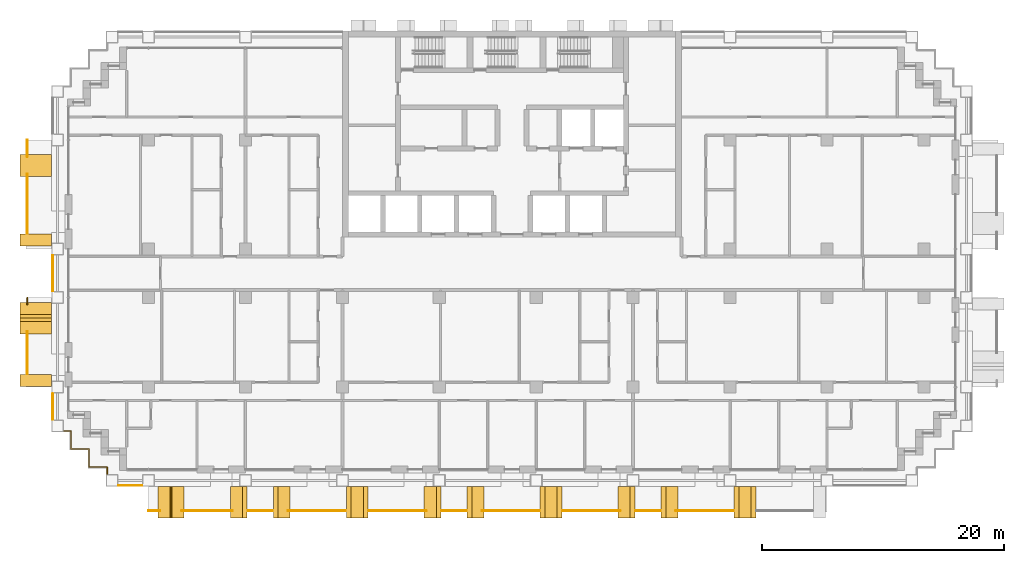
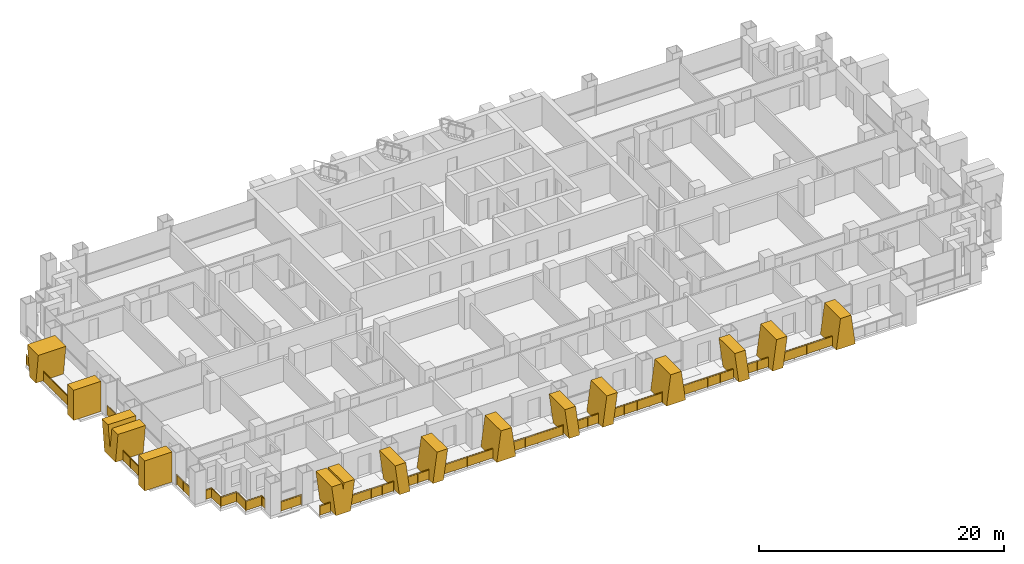
# One storey, part 15 of 18: 18 railings, 14 shading devices.
"""IFC4 building model written with IfcOpenShell, lengths in metres."""

from ifc_helpers import new_model, si_unit, direction, frame, origin, origin_2d, place, context, subcontext, project, spatial, polyline, rectangle, circle, outline, extrude, material, layer, layer_set, type_object, element, save


model = new_model("IFC4")

# Units and contexts
model_context = context("Model", 3, precision=1e-05, world=origin(), true_north=direction((0.0, 1.0)))
body_context = subcontext(model_context, "Body", "Model", "MODEL_VIEW")
ifc_project = project(units=[si_unit("LENGTHUNIT", "METRE"), si_unit("AREAUNIT", "SQUARE_METRE"), si_unit("VOLUMEUNIT", "CUBIC_METRE"), si_unit("PLANEANGLEUNIT", "RADIAN"), si_unit("MASSUNIT", "GRAM", prefix="KILO")], contexts=[model_context])

# Site, building, storey
site_placement = place(None, origin())
site = spatial("IfcSite", under=ifc_project, at=site_placement, CompositionType="ELEMENT")
building_placement = place(site_placement, origin())
building = spatial("IfcBuilding", under=site, at=building_placement, Name="Vidyagriha Tower", CompositionType="ELEMENT")
storey_placement = place(building_placement, frame((0.0, 0.0, 54.39990234375)))
storey = spatial("IfcBuildingStorey", under=building, at=storey_placement, Name="L14", CompositionType="ELEMENT", Elevation=54.39990234375)

# Railings
ifc_material_1 = material(Name="Steel ASTM A500 Grade C black painted", Category="steel")
railing_type_1 = type_object("IfcRailingType", Name="Balcony guard 1100", PredefinedType="BALUSTRADE", material=ifc_material_1)
railing_1_placement = place(storey_placement, frame((-40.0, 11.0, 0.0)))
element("IfcRailing", 1, at=railing_1_placement, inside=storey, type_object=railing_type_1, Name="Balcony guard L14 R16.1-1", PredefinedType="BALUSTRADE", context=body_context, shape_type="SweptSolid", body=[
    extrude(circle(Radius=0.02490234375, at=origin_2d()), frame((0.0, 0.0, 1.0751953125), z_axis=(0.0, -1.0, 0.0), x_axis=(1.0, 0.0, 0.0)), (0.0, 0.0, 1.0), 1.396728515625),
    extrude(circle(Radius=0.02001953125, at=origin_2d()), origin(), (0.0, 0.0, 1.0), 1.050048828125),
    extrude(circle(Radius=0.02001953125, at=origin_2d()), frame((0.0, -0.6982421875, 0.0)), (0.0, 0.0, 1.0), 1.050048828125),
    extrude(circle(Radius=0.02001953125, at=origin_2d()), frame((0.0, -1.396728515625, 0.0)), (0.0, 0.0, 1.0), 1.050048828125),
    extrude(rectangle(XDim=0.010009765625, YDim=0.900146484375, at=origin_2d()), frame((0.0, 0.0, 0.550048828125), z_axis=(0.0, -1.0, 0.0), x_axis=(1.0, 0.0, 0.0)), (0.0, 0.0, 1.0), 1.396728515625),
])
railing_2_placement = place(storey_placement, frame((-40.0, 8.19677734375, 0.0)))
element("IfcRailing", 2, at=railing_2_placement, inside=storey, type_object=railing_type_1, Name="Balcony guard L14 R16.1-2", PredefinedType="BALUSTRADE", context=body_context, shape_type="SweptSolid", body=[
    extrude(circle(Radius=0.02490234375, at=origin_2d()), frame((0.0, 0.0, 1.0751953125), z_axis=(0.0, -1.0, 0.0), x_axis=(1.0, 0.0, 0.0)), (0.0, 0.0, 1.0), 4.896728515625),
    extrude(circle(Radius=0.02001953125, at=origin_2d()), origin(), (0.0, 0.0, 1.0), 1.050048828125),
    extrude(circle(Radius=0.02001953125, at=origin_2d()), frame((0.0, -0.979248046875, 0.0)), (0.0, 0.0, 1.0), 1.050048828125),
    extrude(circle(Radius=0.02001953125, at=origin_2d()), frame((0.0, -1.958740234375, 0.0)), (0.0, 0.0, 1.0), 1.050048828125),
    extrude(circle(Radius=0.02001953125, at=origin_2d()), frame((0.0, -2.93798828125, 0.0)), (0.0, 0.0, 1.0), 1.050048828125),
    extrude(circle(Radius=0.02001953125, at=origin_2d()), frame((0.0, -3.91748046875, 0.0)), (0.0, 0.0, 1.0), 1.050048828125),
    extrude(circle(Radius=0.02001953125, at=origin_2d()), frame((0.0, -4.896728515625, 0.0)), (0.0, 0.0, 1.0), 1.050048828125),
    extrude(rectangle(XDim=0.010009765625, YDim=0.900146484375, at=origin_2d()), frame((0.0, 0.0, 0.550048828125), z_axis=(0.0, -1.0, 0.0), x_axis=(1.0, 0.0, 0.0)), (0.0, 0.0, 1.0), 4.896728515625),
])
railing_3_placement = place(storey_placement, frame((-40.0, -2.0, 0.0)))
element("IfcRailing", 3, at=railing_3_placement, inside=storey, type_object=railing_type_1, Name="Balcony guard L14 R16.2-1", PredefinedType="BALUSTRADE", context=body_context, shape_type="SweptSolid", body=[
    extrude(circle(Radius=0.02490234375, at=origin_2d()), frame((0.0, 0.0, 1.0751953125), z_axis=(0.0, -1.0, 0.0), x_axis=(1.0, 0.0, 0.0)), (0.0, 0.0, 1.0), 0.5966796875),
    extrude(circle(Radius=0.02001953125, at=origin_2d()), origin(), (0.0, 0.0, 1.0), 1.050048828125),
    extrude(circle(Radius=0.02001953125, at=origin_2d()), frame((0.0, -0.5966796875, 0.0)), (0.0, 0.0, 1.0), 1.050048828125),
    extrude(rectangle(XDim=0.010009765625, YDim=0.900146484375, at=origin_2d()), frame((0.0, 0.0, 0.550048828125), z_axis=(0.0, -1.0, 0.0), x_axis=(1.0, 0.0, 0.0)), (0.0, 0.0, 1.0), 0.5966796875),
])
railing_4_placement = place(storey_placement, frame((-40.0, -4.80322265625, 0.0)))
element("IfcRailing", 4, at=railing_4_placement, inside=storey, type_object=railing_type_1, Name="Balcony guard L14 R16.2-2", PredefinedType="BALUSTRADE", context=body_context, shape_type="SweptSolid", body=[
    extrude(circle(Radius=0.02490234375, at=origin_2d()), frame((0.0, 0.0, 1.0751953125), z_axis=(0.0, -1.0, 0.0), x_axis=(1.0, 0.0, 0.0)), (0.0, 0.0, 1.0), 3.496826171875),
    extrude(circle(Radius=0.02001953125, at=origin_2d()), origin(), (0.0, 0.0, 1.0), 1.050048828125),
    extrude(circle(Radius=0.02001953125, at=origin_2d()), frame((0.0, -1.16552734375, 0.0)), (0.0, 0.0, 1.0), 1.050048828125),
    extrude(circle(Radius=0.02001953125, at=origin_2d()), frame((0.0, -2.331298828125, 0.0)), (0.0, 0.0, 1.0), 1.050048828125),
    extrude(circle(Radius=0.02001953125, at=origin_2d()), frame((0.0, -3.496826171875, 0.0)), (0.0, 0.0, 1.0), 1.050048828125),
    extrude(rectangle(XDim=0.010009765625, YDim=0.900146484375, at=origin_2d()), frame((0.0, 0.0, 0.550048828125), z_axis=(0.0, -1.0, 0.0), x_axis=(1.0, 0.0, 0.0)), (0.0, 0.0, 1.0), 3.496826171875),
])
railing_5_placement = place(storey_placement, frame((-30.0, -19.60009765625, 0.0)))
element("IfcRailing", 5, at=railing_5_placement, inside=storey, type_object=railing_type_1, Name="Balcony guard L14 R23.1-1", PredefinedType="BALUSTRADE", context=body_context, shape_type="SweptSolid", body=[
    extrude(circle(Radius=0.02490234375, at=origin_2d()), frame((0.0, 0.0, 1.0751953125), z_axis=(1.0, 0.0, 0.0), x_axis=(0.0, 1.0, 0.0)), (0.0, 0.0, 1.0), 0.959228515625),
    extrude(circle(Radius=0.02001953125, at=origin_2d()), origin(), (0.0, 0.0, 1.0), 1.050048828125),
    extrude(circle(Radius=0.02001953125, at=origin_2d()), frame((0.959228515625, 0.0, 0.0)), (0.0, 0.0, 1.0), 1.050048828125),
    extrude(rectangle(XDim=0.010009765625, YDim=0.900146484375, at=origin_2d()), frame((0.0, 0.0, 0.550048828125), z_axis=(1.0, 0.0, 0.0), x_axis=(0.0, 1.0, 0.0)), (0.0, 0.0, 1.0), 0.959228515625),
])
railing_6_placement = place(storey_placement, frame((-27.25927734375, -19.60009765625, 0.0)))
element("IfcRailing", 6, at=railing_6_placement, inside=storey, type_object=railing_type_1, Name="Balcony guard L14 R23.1-2", PredefinedType="BALUSTRADE", context=body_context, shape_type="SweptSolid", body=[
    extrude(circle(Radius=0.02490234375, at=origin_2d()), frame((0.0, 0.0, 1.0751953125), z_axis=(1.0, 0.0, 0.0), x_axis=(0.0, 1.0, 0.0)), (0.0, 0.0, 1.0), 4.202880859375),
    extrude(circle(Radius=0.02001953125, at=origin_2d()), origin(), (0.0, 0.0, 1.0), 1.050048828125),
    extrude(circle(Radius=0.02001953125, at=origin_2d()), frame((1.05078125, 0.0, 0.0)), (0.0, 0.0, 1.0), 1.050048828125),
    extrude(circle(Radius=0.02001953125, at=origin_2d()), frame((2.1015625, 0.0, 0.0)), (0.0, 0.0, 1.0), 1.050048828125),
    extrude(circle(Radius=0.02001953125, at=origin_2d()), frame((3.152099609375, 0.0, 0.0)), (0.0, 0.0, 1.0), 1.050048828125),
    extrude(circle(Radius=0.02001953125, at=origin_2d()), frame((4.202880859375, 0.0, 0.0)), (0.0, 0.0, 1.0), 1.050048828125),
    extrude(rectangle(XDim=0.010009765625, YDim=0.900146484375, at=origin_2d()), frame((0.0, 0.0, 0.550048828125), z_axis=(1.0, 0.0, 0.0), x_axis=(0.0, 1.0, 0.0)), (0.0, 0.0, 1.0), 4.202880859375),
])
railing_7_placement = place(storey_placement, frame((-21.804931640625, -19.60009765625, 0.0)))
element("IfcRailing", 7, at=railing_7_placement, inside=storey, type_object=railing_type_1, Name="Balcony guard L14 R23.1-3", PredefinedType="BALUSTRADE", context=body_context, shape_type="SweptSolid", body=[
    extrude(circle(Radius=0.02490234375, at=origin_2d()), frame((0.0, 0.0, 1.0751953125), z_axis=(1.0, 0.0, 0.0), x_axis=(0.0, 1.0, 0.0)), (0.0, 0.0, 1.0), 2.059814453125),
    extrude(circle(Radius=0.02001953125, at=origin_2d()), origin(), (0.0, 0.0, 1.0), 1.050048828125),
    extrude(circle(Radius=0.02001953125, at=origin_2d()), frame((1.02978515625, 0.0, 0.0)), (0.0, 0.0, 1.0), 1.050048828125),
    extrude(circle(Radius=0.02001953125, at=origin_2d()), frame((2.059814453125, 0.0, 0.0)), (0.0, 0.0, 1.0), 1.050048828125),
    extrude(rectangle(XDim=0.010009765625, YDim=0.900146484375, at=origin_2d()), frame((0.0, 0.0, 0.550048828125), z_axis=(1.0, 0.0, 0.0), x_axis=(0.0, 1.0, 0.0)), (0.0, 0.0, 1.0), 2.059814453125),
])
for number, where, name in (
    (8, (-18.49365234375, -19.60009765625, 0.0), "Balcony guard L14 R23.1-4"),
    (9, (-11.830078125, -19.60009765625, 0.0), "Balcony guard L14 R23.1-5"),
):
    element("IfcRailing", number, at=place(storey_placement, frame(where)), inside=storey, type_object=railing_type_1, Name=name, PredefinedType="BALUSTRADE", context=body_context, shape_type="SweptSolid", body=[
        extrude(circle(Radius=0.02490234375, at=origin_2d()), frame((0.0, 0.0, 1.0751953125), z_axis=(1.0, 0.0, 0.0), x_axis=(0.0, 1.0, 0.0)), (0.0, 0.0, 1.0), 4.773681640625),
        extrude(circle(Radius=0.02001953125, at=origin_2d()), origin(), (0.0, 0.0, 1.0), 1.050048828125),
        extrude(circle(Radius=0.02001953125, at=origin_2d()), frame((1.193359375, 0.0, 0.0)), (0.0, 0.0, 1.0), 1.050048828125),
        extrude(circle(Radius=0.02001953125, at=origin_2d()), frame((2.38671875, 0.0, 0.0)), (0.0, 0.0, 1.0), 1.050048828125),
        extrude(circle(Radius=0.02001953125, at=origin_2d()), frame((3.580322265625, 0.0, 0.0)), (0.0, 0.0, 1.0), 1.050048828125),
        extrude(circle(Radius=0.02001953125, at=origin_2d()), frame((4.773681640625, 0.0, 0.0)), (0.0, 0.0, 1.0), 1.050048828125),
        extrude(rectangle(XDim=0.010009765625, YDim=0.900146484375, at=origin_2d()), frame((0.0, 0.0, 0.550048828125), z_axis=(1.0, 0.0, 0.0), x_axis=(0.0, 1.0, 0.0)), (0.0, 0.0, 1.0), 4.773681640625),
    ])
railing_8_placement = place(storey_placement, frame((-5.804931640625, -19.60009765625, 0.0)))
element("IfcRailing", 10, at=railing_8_placement, inside=storey, type_object=railing_type_1, Name="Balcony guard L14 R23.1-6", PredefinedType="BALUSTRADE", context=body_context, shape_type="SweptSolid", body=[
    extrude(circle(Radius=0.02490234375, at=origin_2d()), frame((0.0, 0.0, 1.0751953125), z_axis=(1.0, 0.0, 0.0), x_axis=(0.0, 1.0, 0.0)), (0.0, 0.0, 1.0), 2.059814453125),
    extrude(circle(Radius=0.02001953125, at=origin_2d()), origin(), (0.0, 0.0, 1.0), 1.050048828125),
    extrude(circle(Radius=0.02001953125, at=origin_2d()), frame((1.02978515625, 0.0, 0.0)), (0.0, 0.0, 1.0), 1.050048828125),
    extrude(circle(Radius=0.02001953125, at=origin_2d()), frame((2.059814453125, 0.0, 0.0)), (0.0, 0.0, 1.0), 1.050048828125),
    extrude(rectangle(XDim=0.010009765625, YDim=0.900146484375, at=origin_2d()), frame((0.0, 0.0, 0.550048828125), z_axis=(1.0, 0.0, 0.0), x_axis=(0.0, 1.0, 0.0)), (0.0, 0.0, 1.0), 2.059814453125),
])
for number, where, name in (
    (11, (-2.49365234375, -19.60009765625, 0.0), "Balcony guard L14 R23.1-7"),
    (12, (4.169921875, -19.60009765625, 0.0), "Balcony guard L14 R23.1-8"),
):
    element("IfcRailing", number, at=place(storey_placement, frame(where)), inside=storey, type_object=railing_type_1, Name=name, PredefinedType="BALUSTRADE", context=body_context, shape_type="SweptSolid", body=[
        extrude(circle(Radius=0.02490234375, at=origin_2d()), frame((0.0, 0.0, 1.0751953125), z_axis=(1.0, 0.0, 0.0), x_axis=(0.0, 1.0, 0.0)), (0.0, 0.0, 1.0), 4.773681640625),
        extrude(circle(Radius=0.02001953125, at=origin_2d()), origin(), (0.0, 0.0, 1.0), 1.050048828125),
        extrude(circle(Radius=0.02001953125, at=origin_2d()), frame((1.193359375, 0.0, 0.0)), (0.0, 0.0, 1.0), 1.050048828125),
        extrude(circle(Radius=0.02001953125, at=origin_2d()), frame((2.38671875, 0.0, 0.0)), (0.0, 0.0, 1.0), 1.050048828125),
        extrude(circle(Radius=0.02001953125, at=origin_2d()), frame((3.580322265625, 0.0, 0.0)), (0.0, 0.0, 1.0), 1.050048828125),
        extrude(circle(Radius=0.02001953125, at=origin_2d()), frame((4.773681640625, 0.0, 0.0)), (0.0, 0.0, 1.0), 1.050048828125),
        extrude(rectangle(XDim=0.010009765625, YDim=0.900146484375, at=origin_2d()), frame((0.0, 0.0, 0.550048828125), z_axis=(1.0, 0.0, 0.0), x_axis=(0.0, 1.0, 0.0)), (0.0, 0.0, 1.0), 4.773681640625),
    ])
railing_9_placement = place(storey_placement, frame((10.195068359375, -19.60009765625, 0.0)))
element("IfcRailing", 13, at=railing_9_placement, inside=storey, type_object=railing_type_1, Name="Balcony guard L14 R23.1-9", PredefinedType="BALUSTRADE", context=body_context, shape_type="SweptSolid", body=[
    extrude(circle(Radius=0.02490234375, at=origin_2d()), frame((0.0, 0.0, 1.0751953125), z_axis=(1.0, 0.0, 0.0), x_axis=(0.0, 1.0, 0.0)), (0.0, 0.0, 1.0), 2.059814453125),
    extrude(circle(Radius=0.02001953125, at=origin_2d()), origin(), (0.0, 0.0, 1.0), 1.050048828125),
    extrude(circle(Radius=0.02001953125, at=origin_2d()), frame((1.02978515625, 0.0, 0.0)), (0.0, 0.0, 1.0), 1.050048828125),
    extrude(circle(Radius=0.02001953125, at=origin_2d()), frame((2.059814453125, 0.0, 0.0)), (0.0, 0.0, 1.0), 1.050048828125),
    extrude(rectangle(XDim=0.010009765625, YDim=0.900146484375, at=origin_2d()), frame((0.0, 0.0, 0.550048828125), z_axis=(1.0, 0.0, 0.0), x_axis=(0.0, 1.0, 0.0)), (0.0, 0.0, 1.0), 2.059814453125),
])
railing_10_placement = place(storey_placement, frame((13.50634765625, -19.60009765625, 0.0)))
element("IfcRailing", 14, at=railing_10_placement, inside=storey, type_object=railing_type_1, Name="Balcony guard L14 R23.1-10", PredefinedType="BALUSTRADE", context=body_context, shape_type="SweptSolid", body=[
    extrude(circle(Radius=0.02490234375, at=origin_2d()), frame((0.0, 0.0, 1.0751953125), z_axis=(1.0, 0.0, 0.0), x_axis=(0.0, 1.0, 0.0)), (0.0, 0.0, 1.0), 4.773681640625),
    extrude(circle(Radius=0.02001953125, at=origin_2d()), origin(), (0.0, 0.0, 1.0), 1.050048828125),
    extrude(circle(Radius=0.02001953125, at=origin_2d()), frame((1.193359375, 0.0, 0.0)), (0.0, 0.0, 1.0), 1.050048828125),
    extrude(circle(Radius=0.02001953125, at=origin_2d()), frame((2.38671875, 0.0, 0.0)), (0.0, 0.0, 1.0), 1.050048828125),
    extrude(circle(Radius=0.02001953125, at=origin_2d()), frame((3.580322265625, 0.0, 0.0)), (0.0, 0.0, 1.0), 1.050048828125),
    extrude(circle(Radius=0.02001953125, at=origin_2d()), frame((4.773681640625, 0.0, 0.0)), (0.0, 0.0, 1.0), 1.050048828125),
    extrude(rectangle(XDim=0.010009765625, YDim=0.900146484375, at=origin_2d()), frame((0.0, 0.0, 0.550048828125), z_axis=(1.0, 0.0, 0.0), x_axis=(0.0, 1.0, 0.0)), (0.0, 0.0, 1.0), 4.773681640625),
])

# Shading devices
ifc_material_2 = material(Name="Precast concrete C40/50 with buff brick facing", Category="concrete")
ifc_layer_1 = layer(ifc_material_2, 1.0)
ifc_layer_set_1 = layer_set([ifc_layer_1], Name="Precast concrete C40/50 with buff brick facing")
shading_device_type_1 = type_object("IfcShadingDeviceType", Name="Brick-faced blade fin arm leaning 8 degrees", PredefinedType="USERDEFINED", material=ifc_layer_set_1)
shading_device_1_placement = place(storey_placement, frame((-19.695068359375, -18.89990234375, 0.0)))
element("IfcShadingDevice", 15, at=shading_device_1_placement, inside=storey, type_object=shading_device_type_1, Name="Leaning blade fin L14 R23.980a", ObjectType="BLADE FIN", PredefinedType="USERDEFINED", context=body_context, shape_type="SweptSolid", body=[
    extrude(outline(polyline([(0.0, 0.0), (1.0, 0.0), (1.39501953125, 3.0), (0.39501953125, 3.0), (0.0, 0.0)])), frame((0.0, 1.300048828125, 0.0), z_axis=(0.0, -1.0, 0.0), x_axis=(1.0, 0.0, 0.0)), (0.0, 0.0, 1.0), 2.60009765625),
])
shading_device_2_placement = place(storey_placement, frame((-23.25, -18.89990234375, 0.0)))
element("IfcShadingDevice", 16, at=shading_device_2_placement, inside=storey, type_object=shading_device_type_1, Name="Leaning blade fin L14 R23.980b", ObjectType="BLADE FIN", PredefinedType="USERDEFINED", context=body_context, shape_type="SweptSolid", body=[
    extrude(outline(polyline([(0.39501953125, 0.0), (1.39501953125, 0.0), (1.0, 3.0), (0.0, 3.0), (0.39501953125, 0.0)])), frame((0.0, 1.300048828125, 0.0), z_axis=(0.0, -1.0, 0.0), x_axis=(1.0, 0.0, 0.0)), (0.0, 0.0, 1.0), 2.60009765625),
])
shading_device_3_placement = place(storey_placement, frame((-3.695068359375, -18.89990234375, 0.0)))
element("IfcShadingDevice", 17, at=shading_device_3_placement, inside=storey, type_object=shading_device_type_1, Name="Leaning blade fin L14 R23.2580a", ObjectType="BLADE FIN", PredefinedType="USERDEFINED", context=body_context, shape_type="SweptSolid", body=[
    extrude(outline(polyline([(0.0, 0.0), (1.0, 0.0), (1.39501953125, 3.0), (0.39501953125, 3.0), (0.0, 0.0)])), frame((0.0, 1.300048828125, 0.0), z_axis=(0.0, -1.0, 0.0), x_axis=(1.0, 0.0, 0.0)), (0.0, 0.0, 1.0), 2.60009765625),
])
shading_device_4_placement = place(storey_placement, frame((-7.25, -18.89990234375, 0.0)))
element("IfcShadingDevice", 18, at=shading_device_4_placement, inside=storey, type_object=shading_device_type_1, Name="Leaning blade fin L14 R23.2580b", ObjectType="BLADE FIN", PredefinedType="USERDEFINED", context=body_context, shape_type="SweptSolid", body=[
    extrude(outline(polyline([(0.39501953125, 0.0), (1.39501953125, 0.0), (1.0, 3.0), (0.0, 3.0), (0.39501953125, 0.0)])), frame((0.0, 1.300048828125, 0.0), z_axis=(0.0, -1.0, 0.0), x_axis=(1.0, 0.0, 0.0)), (0.0, 0.0, 1.0), 2.60009765625),
])
shading_device_5_placement = place(storey_placement, frame((12.304931640625, -18.89990234375, 0.0)))
element("IfcShadingDevice", 19, at=shading_device_5_placement, inside=storey, type_object=shading_device_type_1, Name="Leaning blade fin L14 R23.4180a", ObjectType="BLADE FIN", PredefinedType="USERDEFINED", context=body_context, shape_type="SweptSolid", body=[
    extrude(outline(polyline([(0.0, 0.0), (1.0, 0.0), (1.39501953125, 3.0), (0.39501953125, 3.0), (0.0, 0.0)])), frame((0.0, 1.300048828125, 0.0), z_axis=(0.0, -1.0, 0.0), x_axis=(1.0, 0.0, 0.0)), (0.0, 0.0, 1.0), 2.60009765625),
])
shading_device_6_placement = place(storey_placement, frame((8.75, -18.89990234375, 0.0)))
element("IfcShadingDevice", 20, at=shading_device_6_placement, inside=storey, type_object=shading_device_type_1, Name="Leaning blade fin L14 R23.4180b", ObjectType="BLADE FIN", PredefinedType="USERDEFINED", context=body_context, shape_type="SweptSolid", body=[
    extrude(outline(polyline([(0.39501953125, 0.0), (1.39501953125, 0.0), (1.0, 3.0), (0.0, 3.0), (0.39501953125, 0.0)])), frame((0.0, 1.300048828125, 0.0), z_axis=(0.0, -1.0, 0.0), x_axis=(1.0, 0.0, 0.0)), (0.0, 0.0, 1.0), 2.60009765625),
])
ifc_material_3 = material(Name="Precast concrete C40/50 with buff brick facing", Category="concrete")
ifc_layer_2 = layer(ifc_material_3, 1.0)
ifc_layer_set_2 = layer_set([ifc_layer_2], Name="Precast concrete C40/50 with buff brick facing")
shading_device_type_2 = type_object("IfcShadingDeviceType", Name="Brick-faced blade fin forking 8 degrees", PredefinedType="USERDEFINED", material=ifc_layer_set_2)
shading_device_7_placement = place(storey_placement, frame((-39.300048828125, 9.800048828125, 0.0), z_axis=(0.0, 0.0, 1.0), x_axis=(0.0, -1.0, 0.0)))
element("IfcShadingDevice", 21, at=shading_device_7_placement, inside=storey, type_object=shading_device_type_2, Name="Forked blade fin L14 R16.280a", ObjectType="BLADE FIN", PredefinedType="USERDEFINED", context=body_context, shape_type="SweptSolid", body=[
    extrude(outline(polyline([(0.39990234375, 0.0), (1.39990234375, 0.0), (1.800048828125, 3.0), (0.0, 3.0), (0.39990234375, 0.0)])), frame((0.0, 1.300048828125, 0.0), z_axis=(0.0, -1.0, 0.0), x_axis=(1.0, 0.0, 0.0)), (0.0, 0.0, 1.0), 2.60009765625),
])
shading_device_8_placement = place(storey_placement, frame((-39.300048828125, -2.39990234375, 0.0), z_axis=(0.0, 0.0, 1.0), x_axis=(0.0, -1.0, 0.0)))
element("IfcShadingDevice", 22, at=shading_device_8_placement, inside=storey, type_object=shading_device_type_2, Name="Forked blade fin L14 R16.1580a", ObjectType="BLADE FIN", PredefinedType="USERDEFINED", context=body_context, shape_type="SweptSolid", body=[
    extrude(outline(polyline([(0.39990234375, 0.0), (2.199951171875, 0.0), (2.60009765625, 3.0), (1.60009765625, 3.0), (1.300048828125, 0.75), (1.0, 3.0), (0.0, 3.0), (0.39990234375, 0.0)])), frame((0.0, 1.300048828125, 0.0), z_axis=(0.0, -1.0, 0.0), x_axis=(1.0, 0.0, 0.0)), (0.0, 0.0, 1.0), 2.60009765625),
])
shading_device_9_placement = place(storey_placement, frame((-29.228515625, -18.89990234375, 0.0)))
element("IfcShadingDevice", 23, at=shading_device_9_placement, inside=storey, type_object=shading_device_type_2, Name="Forked blade fin L14 R23.180a", ObjectType="BLADE FIN", PredefinedType="USERDEFINED", context=body_context, shape_type="SweptSolid", body=[
    extrude(outline(polyline([(0.3857421875, 0.0), (1.771484375, 0.0), (2.1572265625, 3.0), (1.1572265625, 3.0), (1.07861328125, 2.388916015625), (1.0, 3.0), (0.0, 3.0), (0.3857421875, 0.0)])), frame((0.0, 1.300048828125, 0.0), z_axis=(0.0, -1.0, 0.0), x_axis=(1.0, 0.0, 0.0)), (0.0, 0.0, 1.0), 2.60009765625),
])
for number, where, name in (
    (24, (-13.669921875, -18.89990234375, 0.0), "Forked blade fin L14 R23.1780a"),
    (25, (2.330078125, -18.89990234375, 0.0), "Forked blade fin L14 R23.3380a"),
    (26, (18.330078125, -18.89990234375, 0.0), "Forked blade fin L14 R23.4980a"),
):
    element("IfcShadingDevice", number, at=place(storey_placement, frame(where)), inside=storey, type_object=shading_device_type_2, Name=name, ObjectType="BLADE FIN", PredefinedType="USERDEFINED", context=body_context, shape_type="SweptSolid", body=[
        extrude(outline(polyline([(0.0, 0.0), (1.7900390625, 0.0), (1.39501953125, 3.0), (0.39501953125, 3.0), (0.0, 0.0)])), frame((0.0, 1.300048828125, 0.0), z_axis=(0.0, -1.0, 0.0), x_axis=(1.0, 0.0, 0.0)), (0.0, 0.0, 1.0), 2.60009765625),
    ])
ifc_material_4 = material(Name="Precast concrete C40/50 with buff brick facing", Category="concrete")
ifc_layer_3 = layer(ifc_material_4, 1.0)
ifc_layer_set_3 = layer_set([ifc_layer_3], Name="Precast concrete C40/50 with buff brick facing")
shading_device_type_3 = type_object("IfcShadingDeviceType", Name="Brick-faced blade fin stem 1000", PredefinedType="USERDEFINED", material=ifc_layer_set_3)
for number, where, z_axis, x_axis, name in (
    (27, (-39.300048828125, 3.25, 0.0), (0.0, 0.0, 1.0), (0.0, -1.0, 0.0), "Stem blade fin L14 R16.1180a"),
    (28, (-39.300048828125, -8.35009765625, 0.0), (0.0, 0.0, 1.0), (0.0, -1.0, 0.0), "Stem blade fin L14 R16.2320a"),
):
    element("IfcShadingDevice", number, at=place(storey_placement, frame(where, z_axis=z_axis, x_axis=x_axis)), inside=storey, type_object=shading_device_type_3, Name=name, ObjectType="BLADE FIN", PredefinedType="USERDEFINED", context=body_context, shape_type="SweptSolid", body=[
        extrude(outline(polyline([(0.0, 0.0), (1.0, 0.0), (1.0, 3.0), (0.0, 3.0), (0.0, 0.0)])), frame((0.0, 1.300048828125, 0.0), z_axis=(0.0, -1.0, 0.0), x_axis=(1.0, 0.0, 0.0)), (0.0, 0.0, 1.0), 2.60009765625),
    ])

# Railings
ifc_material_5 = material(Name="Steel ASTM A500 Grade C black painted", Category="steel")
railing_type_2 = type_object("IfcRailingType", Name="Gallery guard 1100", PredefinedType="GUARDRAIL", material=ifc_material_5)
railing_11_placement = place(storey_placement, frame((-37.89990234375, -12.070068359375, 0.0)))
element("IfcRailing", 29, at=railing_11_placement, inside=storey, type_object=railing_type_2, Name="Gallery guard L14 1", PredefinedType="GUARDRAIL", context=body_context, shape_type="SweptSolid", body=[
    extrude(circle(Radius=0.02490234375, at=origin_2d()), frame((0.0, 0.0, 1.0751953125), z_axis=(0.0, 1.0, 0.0), x_axis=(-1.0, 0.0, 0.0)), (0.0, 0.0, 1.0), 2.14013671875),
    extrude(circle(Radius=0.02001953125, at=origin_2d()), origin(), (0.0, 0.0, 1.0), 1.050048828125),
    extrude(circle(Radius=0.02001953125, at=origin_2d()), frame((0.0, 1.070068359375, 0.0)), (0.0, 0.0, 1.0), 1.050048828125),
    extrude(circle(Radius=0.02001953125, at=origin_2d()), frame((0.0, 2.14013671875, 0.0)), (0.0, 0.0, 1.0), 1.050048828125),
    extrude(rectangle(XDim=0.010009765625, YDim=0.900146484375, at=origin_2d()), frame((0.0, 0.0, 0.550048828125), z_axis=(0.0, 1.0, 0.0), x_axis=(-1.0, 0.0, 0.0)), (0.0, 0.0, 1.0), 2.14013671875),
])
railing_12_placement = place(storey_placement, frame((-37.89990234375, -1.469970703125, 0.0)))
element("IfcRailing", 30, at=railing_12_placement, inside=storey, type_object=railing_type_2, Name="Gallery guard L14 2", PredefinedType="GUARDRAIL", context=body_context, shape_type="SweptSolid", body=[
    extrude(circle(Radius=0.02490234375, at=origin_2d()), frame((0.0, 0.0, 1.0751953125), z_axis=(0.0, 1.0, 0.0), x_axis=(-1.0, 0.0, 0.0)), (0.0, 0.0, 1.0), 2.93994140625),
    extrude(circle(Radius=0.02001953125, at=origin_2d()), origin(), (0.0, 0.0, 1.0), 1.050048828125),
    extrude(circle(Radius=0.02001953125, at=origin_2d()), frame((0.0, 1.469970703125, 0.0)), (0.0, 0.0, 1.0), 1.050048828125),
    extrude(circle(Radius=0.02001953125, at=origin_2d()), frame((0.0, 2.93994140625, 0.0)), (0.0, 0.0, 1.0), 1.050048828125),
    extrude(rectangle(XDim=0.010009765625, YDim=0.900146484375, at=origin_2d()), frame((0.0, 0.0, 0.550048828125), z_axis=(0.0, 1.0, 0.0), x_axis=(-1.0, 0.0, 0.0)), (0.0, 0.0, 1.0), 2.93994140625),
])
railing_13_placement = place(storey_placement, frame((-33.39990234375, -16.570068359375, 0.0)))
element("IfcRailing", 31, at=railing_13_placement, inside=storey, type_object=railing_type_2, Name="Gallery guard L14 4", PredefinedType="GUARDRAIL", context=body_context, shape_type="SweptSolid", body=[
    extrude(circle(Radius=0.02490234375, at=origin_2d()), frame((0.0, 0.0, 1.0751953125), z_axis=(0.0, 1.0, 0.0), x_axis=(-1.0, 0.0, 0.0)), (0.0, 0.0, 1.0), 0.570068359375),
    extrude(circle(Radius=0.02490234375, at=origin_2d()), frame((0.0, 0.570068359375, 1.0751953125), z_axis=(-1.0, 0.0, 0.0), x_axis=(0.0, -1.0, 0.0)), (0.0, 0.0, 1.0), 1.5),
    extrude(circle(Radius=0.02490234375, at=origin_2d()), frame((-1.5, 0.570068359375, 1.0751953125), z_axis=(0.0, 1.0, 0.0), x_axis=(-1.0, 0.0, 0.0)), (0.0, 0.0, 1.0), 1.5),
    extrude(circle(Radius=0.02490234375, at=origin_2d()), frame((-1.5, 2.070068359375, 1.0751953125), z_axis=(-1.0, 0.0, 0.0), x_axis=(0.0, -1.0, 0.0)), (0.0, 0.0, 1.0), 1.5),
    extrude(circle(Radius=0.02490234375, at=origin_2d()), frame((-3.0, 2.070068359375, 1.0751953125), z_axis=(0.0, 1.0, 0.0), x_axis=(-1.0, 0.0, 0.0)), (0.0, 0.0, 1.0), 1.5),
    extrude(circle(Radius=0.02490234375, at=origin_2d()), frame((-3.0, 3.570068359375, 1.0751953125), z_axis=(-1.0, 0.0, 0.0), x_axis=(0.0, -1.0, 0.0)), (0.0, 0.0, 1.0), 0.570068359375),
    extrude(circle(Radius=0.02001953125, at=origin_2d()), origin(), (0.0, 0.0, 1.0), 1.050048828125),
    extrude(circle(Radius=0.02001953125, at=origin_2d()), frame((0.0, 0.570068359375, 0.0)), (0.0, 0.0, 1.0), 1.050048828125),
    extrude(circle(Radius=0.02001953125, at=origin_2d()), frame((-1.5, 0.570068359375, 0.0)), (0.0, 0.0, 1.0), 1.050048828125),
    extrude(circle(Radius=0.02001953125, at=origin_2d()), frame((-1.5, 2.070068359375, 0.0)), (0.0, 0.0, 1.0), 1.050048828125),
    extrude(circle(Radius=0.02001953125, at=origin_2d()), frame((-3.0, 2.070068359375, 0.0)), (0.0, 0.0, 1.0), 1.050048828125),
    extrude(circle(Radius=0.02001953125, at=origin_2d()), frame((-3.0, 3.570068359375, 0.0)), (0.0, 0.0, 1.0), 1.050048828125),
    extrude(circle(Radius=0.02001953125, at=origin_2d()), frame((-3.570068359375, 3.570068359375, 0.0)), (0.0, 0.0, 1.0), 1.050048828125),
    extrude(rectangle(XDim=0.010009765625, YDim=0.900146484375, at=origin_2d()), frame((0.0, 0.0, 0.550048828125), z_axis=(0.0, 1.0, 0.0), x_axis=(-1.0, 0.0, 0.0)), (0.0, 0.0, 1.0), 0.570068359375),
    extrude(rectangle(XDim=0.010009765625, YDim=0.900146484375, at=origin_2d()), frame((0.0, 0.570068359375, 0.550048828125), z_axis=(-1.0, 0.0, 0.0), x_axis=(0.0, -1.0, 0.0)), (0.0, 0.0, 1.0), 1.5),
    extrude(rectangle(XDim=0.010009765625, YDim=0.900146484375, at=origin_2d()), frame((-1.5, 0.570068359375, 0.550048828125), z_axis=(0.0, 1.0, 0.0), x_axis=(-1.0, 0.0, 0.0)), (0.0, 0.0, 1.0), 1.5),
    extrude(rectangle(XDim=0.010009765625, YDim=0.900146484375, at=origin_2d()), frame((-1.5, 2.070068359375, 0.550048828125), z_axis=(-1.0, 0.0, 0.0), x_axis=(0.0, -1.0, 0.0)), (0.0, 0.0, 1.0), 1.5),
    extrude(rectangle(XDim=0.010009765625, YDim=0.900146484375, at=origin_2d()), frame((-3.0, 2.070068359375, 0.550048828125), z_axis=(0.0, 1.0, 0.0), x_axis=(-1.0, 0.0, 0.0)), (0.0, 0.0, 1.0), 1.5),
    extrude(rectangle(XDim=0.010009765625, YDim=0.900146484375, at=origin_2d()), frame((-3.0, 3.570068359375, 0.550048828125), z_axis=(-1.0, 0.0, 0.0), x_axis=(0.0, -1.0, 0.0)), (0.0, 0.0, 1.0), 0.570068359375),
])
railing_14_placement = place(storey_placement, frame((-30.530029296875, -17.5, 0.0)))
element("IfcRailing", 32, at=railing_14_placement, inside=storey, type_object=railing_type_2, Name="Gallery guard L14 6", PredefinedType="GUARDRAIL", context=body_context, shape_type="SweptSolid", body=[
    extrude(circle(Radius=0.02490234375, at=origin_2d()), frame((0.0, 0.0, 1.0751953125), z_axis=(-1.0, 0.0, 0.0), x_axis=(0.0, -1.0, 0.0)), (0.0, 0.0, 1.0), 1.93994140625),
    extrude(circle(Radius=0.02001953125, at=origin_2d()), origin(), (0.0, 0.0, 1.0), 1.050048828125),
    extrude(circle(Radius=0.02001953125, at=origin_2d()), frame((-0.969970703125, 0.0, 0.0)), (0.0, 0.0, 1.0), 1.050048828125),
    extrude(circle(Radius=0.02001953125, at=origin_2d()), frame((-1.93994140625, 0.0, 0.0)), (0.0, 0.0, 1.0), 1.050048828125),
    extrude(rectangle(XDim=0.010009765625, YDim=0.900146484375, at=origin_2d()), frame((0.0, 0.0, 0.550048828125), z_axis=(-1.0, 0.0, 0.0), x_axis=(0.0, -1.0, 0.0)), (0.0, 0.0, 1.0), 1.93994140625),
])

save(model, "model.ifc")
